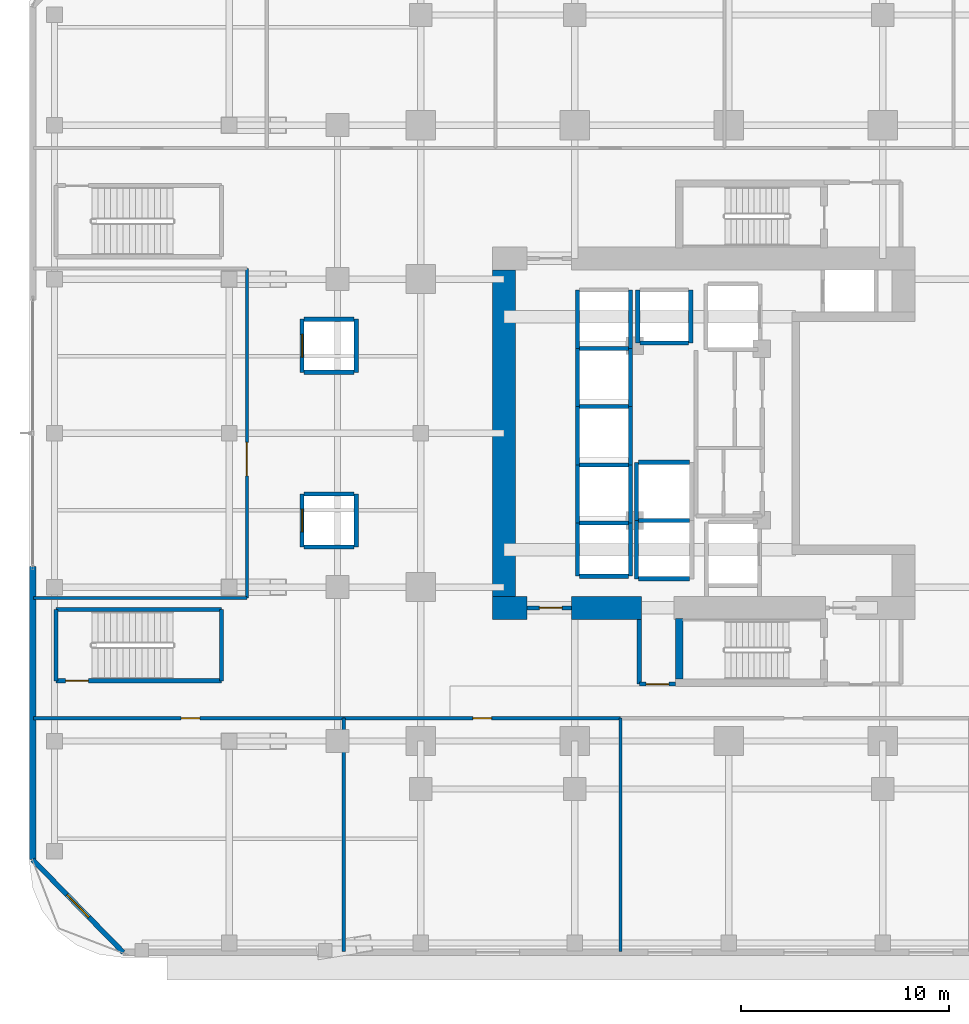
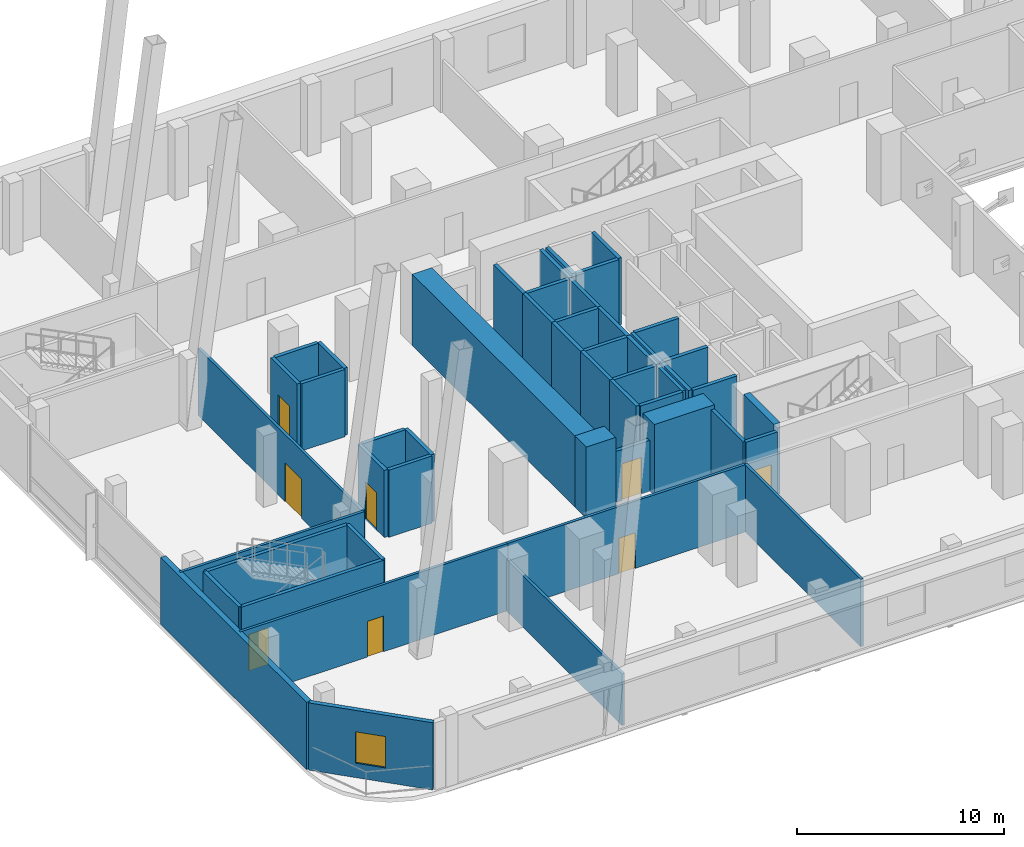
# One storey, part 11 of 23: 50 walls, 8 doors, 1 window, 9 openings.
"""IFC4 building model written with IfcOpenShell, lengths in metres."""

from ifc_helpers import new_model, si_unit, direction, frame, frame_2d, origin, place, context, subcontext, project, spatial, rectangle, extrude, material, layer, layer_set, type_object, element, fill, save


model = new_model("IFC4")

# Units and contexts
model_context = context("Model", 3, precision=1e-05, world=origin(), true_north=direction((0.0, 1.0)))
body_context = subcontext(model_context, "Body", "Model", "MODEL_VIEW")
ifc_project = project(units=[si_unit("LENGTHUNIT", "METRE"), si_unit("AREAUNIT", "SQUARE_METRE"), si_unit("VOLUMEUNIT", "CUBIC_METRE"), si_unit("PLANEANGLEUNIT", "RADIAN"), si_unit("MASSUNIT", "GRAM", prefix="KILO")], contexts=[model_context])

# Site, building, storey
site_placement = place(None, origin())
site = spatial("IfcSite", under=ifc_project, at=site_placement, CompositionType="ELEMENT")
building_placement = place(site_placement, origin())
building = spatial("IfcBuilding", under=site, at=building_placement, Name="Khorvyn Point Tower", CompositionType="ELEMENT")
storey_placement = place(building_placement, frame((0.0, 0.0, 9.0)))
storey = spatial("IfcBuildingStorey", under=building, at=storey_placement, Name="L03", CompositionType="ELEMENT", Elevation=9.0)

# Wall, opening, window
ifc_material_1 = material(Name="Pale anodised aluminium rainscreen on steel stud", Category="steel")
ifc_layer_1 = layer(ifc_material_1, 0.239990234375)
ifc_layer_set_1 = layer_set([ifc_layer_1], Name="Anodised Aluminium Insulated Corner Spandrel Wall 240")
wall_type_1 = type_object("IfcWallType", Name="Anodised Aluminium Insulated Corner Spandrel Wall 240", PredefinedType="SOLIDWALL", material=ifc_layer_set_1)
wall_1_placement = place(storey_placement, frame((-29.10009765625, -24.949951171875, 0.0), z_axis=(0.0, 0.0, 1.0), x_axis=(-0.69901822973, 0.715103848756, 0.0)))
wall_1 = element("IfcWall", 1, at=wall_1_placement, inside=storey, type_object=wall_type_1, Name="L03 Rounded Corner Wall SW", PredefinedType="SOLIDWALL", context=body_context, shape_type="SweptSolid", body=[
    extrude(rectangle(XDim=6.222900390625, YDim=0.239990234375, at=frame_2d((3.111328125, 0.0))), origin(), (0.0, 0.0, 1.0), 3.9599609375),
])
opening_1_placement = place(wall_1_placement, frame((2.361572265625, 0.0, 0.85009765625)))
opening_1 = element("IfcOpeningElement", 2, at=opening_1_placement, cuts=wall_1, Name="Opening WN-1518", PredefinedType="OPENING", context=body_context, shape_type="SweptSolid", body=[
    extrude(rectangle(XDim=1.5, YDim=1.85009765625, at=frame_2d((0.75, 0.925048828125))), frame((0.0, 0.1298828125, 0.0), z_axis=(0.0, -1.0, 0.0), x_axis=(1.0, 0.0, 0.0)), (0.0, 0.0, 1.0), 0.260009765625),
])
ifc_material_2 = material(Name="Anodised aluminium 6063-T6 and laminated Low-E glass", Category="aluminium")
window_type = type_object("IfcWindowType", Name="Anodised Aluminium Rounded-Corner Panoramic Window 1500x1850", PartitioningType="SINGLE_PANEL", PredefinedType="WINDOW", material=ifc_material_2)
window_placement = place(opening_1_placement, origin())
window = element("IfcWindow", 3, at=window_placement, inside=storey, type_object=window_type, Name="L03 Corner Window SW", OverallHeight=1.85009765625, OverallWidth=1.5, PartitioningType="SINGLE_PANEL", PredefinedType="WINDOW", context=body_context, shape_type="SweptSolid", body=[
    extrude(rectangle(XDim=1.5, YDim=1.85009765625, at=frame_2d((0.75, 0.925048828125))), frame((0.0, 0.030029296875, 0.0), z_axis=(0.0, -1.0, 0.0), x_axis=(1.0, 0.0, 0.0)), (0.0, 0.0, 1.0), 0.06005859375),
])
fill(opening_1, window)

# Wall, opening, door
ifc_material_3 = material(Name="Concrete C40/50", Category="concrete")
ifc_layer_2 = layer(ifc_material_3, 0.199951171875)
ifc_layer_set_2 = layer_set([ifc_layer_2], Name="Concrete C40/50 Fire-Lobby Compartment Wall 200")
wall_type_2 = type_object("IfcWallType", Name="Concrete C40/50 Fire-Lobby Compartment Wall 200", PredefinedType="SOLIDWALL", material=ifc_layer_set_2)
wall_2_placement = place(storey_placement, frame((-9.699951171875, -8.39990234375, 0.0), z_axis=(0.0, 0.0, 1.0), x_axis=(1.0, 0.0, 0.0)))
wall_2 = element("IfcWall", 4, at=wall_2_placement, inside=storey, type_object=wall_type_2, Name="Wall", PredefinedType="SOLIDWALL", context=body_context, shape_type="SweptSolid", body=[
    extrude(rectangle(XDim=2.14990234375, YDim=0.199951171875, at=frame_2d((1.074951171875, 0.0))), origin(), (0.0, 0.0, 1.0), 3.0),
])
opening_2_placement = place(wall_2_placement, frame((0.597900390625, 0.0, 0.0)))
opening_2 = element("IfcOpeningElement", 5, at=opening_2_placement, cuts=wall_2, Name="Opening ID-FL90", PredefinedType="OPENING", context=body_context, shape_type="SweptSolid", body=[
    extrude(rectangle(XDim=1.10009765625, YDim=2.14990234375, at=frame_2d((0.550048828125, 1.074951171875))), frame((0.0, 0.10986328125, 0.0), z_axis=(0.0, -1.0, 0.0), x_axis=(1.0, 0.0, 0.0)), (0.0, 0.0, 1.0), 0.219970703125),
])
ifc_material_4 = material(Name="Galvanised powder-coated steel", Category="steel")
door_type_1 = type_object("IfcDoorType", Name="Fire-Rated Steel Lobby and Stair Door 1100x2150", OperationType="NOTDEFINED", PredefinedType="DOOR", material=ifc_material_4)
door_1_placement = place(opening_2_placement, origin())
door_1 = element("IfcDoor", 6, at=door_1_placement, inside=storey, type_object=door_type_1, Name="Door", OperationType="SINGLE_SWING_LEFT", OverallHeight=2.14990234375, OverallWidth=1.10009765625, PredefinedType="DOOR", context=body_context, shape_type="SweptSolid", body=[
    extrude(rectangle(XDim=1.10009765625, YDim=2.14990234375, at=frame_2d((0.550048828125, 1.074951171875))), frame((0.0, 0.02490234375, 0.0), z_axis=(0.0, -1.0, 0.0), x_axis=(1.0, 0.0, 0.0)), (0.0, 0.0, 1.0), 0.050048828125),
])
fill(opening_2, door_1)

wall_3_placement = place(storey_placement, frame((-4.300048828125, -12.06005859375, 0.0), z_axis=(0.0, 0.0, 1.0), x_axis=(1.0, 0.0, 0.0)))
wall_3 = element("IfcWall", 7, at=wall_3_placement, inside=storey, type_object=wall_type_2, Name="Wall", PredefinedType="SOLIDWALL", context=body_context, shape_type="SweptSolid", body=[
    extrude(rectangle(XDim=1.75, YDim=0.199951171875, at=frame_2d((0.875, 0.0))), origin(), (0.0, 0.0, 1.0), 3.9599609375),
])
opening_3_placement = place(wall_3_placement, frame((0.324951171875, 0.0, 0.0)))
opening_3 = element("IfcOpeningElement", 8, at=opening_3_placement, cuts=wall_3, Name="Opening ID-FL90", PredefinedType="OPENING", context=body_context, shape_type="SweptSolid", body=[
    extrude(rectangle(XDim=1.10009765625, YDim=2.14990234375, at=frame_2d((0.550048828125, 1.074951171875))), frame((0.0, 0.10986328125, 0.0), z_axis=(0.0, -1.0, 0.0), x_axis=(1.0, 0.0, 0.0)), (0.0, 0.0, 1.0), 0.219970703125),
])
door_2_placement = place(opening_3_placement, origin())
door_2 = element("IfcDoor", 9, at=door_2_placement, inside=storey, type_object=door_type_1, Name="Door", OperationType="SINGLE_SWING_LEFT", OverallHeight=2.14990234375, OverallWidth=1.10009765625, PredefinedType="DOOR", context=body_context, shape_type="SweptSolid", body=[
    extrude(rectangle(XDim=1.10009765625, YDim=2.14990234375, at=frame_2d((0.550048828125, 1.074951171875))), frame((0.0, 0.02490234375, 0.0), z_axis=(0.0, -1.0, 0.0), x_axis=(1.0, 0.0, 0.0)), (0.0, 0.0, 1.0), 0.050048828125),
])
fill(opening_3, door_2)

# Walls
wall_4_placement = place(storey_placement, frame((-4.300048828125, -12.06005859375, 0.0), z_axis=(0.0, 0.0, 1.0), x_axis=(0.0, 1.0, 0.0)))
element("IfcWall", 10, at=wall_4_placement, inside=storey, type_object=wall_type_2, Name="Wall", PredefinedType="SOLIDWALL", context=body_context, shape_type="SweptSolid", body=[
    extrude(rectangle(XDim=3.110107421875, YDim=0.199951171875, at=frame_2d((1.55517578125, 0.0))), origin(), (0.0, 0.0, 1.0), 3.9599609375),
])
ifc_layer_3 = layer(ifc_material_3, 0.35009765625)
ifc_layer_set_3 = layer_set([ifc_layer_3], Name="Concrete C40/50 Stair Shaft Structural Wall 350")
wall_type_3 = type_object("IfcWallType", Name="Concrete C40/50 Stair Shaft Structural Wall 350", PredefinedType="SHEAR", material=ifc_layer_set_3)
wall_5_placement = place(storey_placement, frame((-2.3798828125, -11.824951171875, 0.0), z_axis=(0.0, 0.0, 1.0), x_axis=(0.0, 1.0, 0.0)))
element("IfcWall", 11, at=wall_5_placement, inside=storey, type_object=wall_type_3, Name="L03 ST-01 West Shaft Wall", PredefinedType="SHEAR", context=body_context, shape_type="SweptSolid", body=[
    extrude(rectangle(XDim=2.925048828125, YDim=0.35009765625, at=frame_2d((1.46240234375, 0.0))), origin(), (0.0, 0.0, 1.0), 4.199951171875),
])

# Wall, opening, door
ifc_layer_4 = layer(ifc_material_3, 0.199951171875)
ifc_layer_set_4 = layer_set([ifc_layer_4], Name="Concrete C40/50 Structural Hoistway and Stair Shaft Wall 200")
wall_type_4 = type_object("IfcWallType", Name="Concrete C40/50 Structural Hoistway and Stair Shaft Wall 200", PredefinedType="SHEAR", material=ifc_layer_set_4)
wall_6_placement = place(storey_placement, frame((-20.5, -5.47509765625, 0.0), z_axis=(0.0, 0.0, 1.0), x_axis=(0.0, 1.0, 0.0)))
wall_6 = element("IfcWall", 12, at=wall_6_placement, inside=storey, type_object=wall_type_4, Name="Wall", PredefinedType="SHEAR", context=body_context, shape_type="SweptSolid", body=[
    extrude(rectangle(XDim=2.550048828125, YDim=0.199951171875, at=frame_2d((1.27490234375, 0.0))), origin(), (0.0, 0.0, 1.0), 3.9599609375),
])
opening_4_placement = place(wall_6_placement, frame((0.72509765625, 0.0, 0.0)))
opening_4 = element("IfcOpeningElement", 13, at=opening_4_placement, cuts=wall_6, Name="Opening LD-1122", PredefinedType="OPENING", context=body_context, shape_type="SweptSolid", body=[
    extrude(rectangle(XDim=1.10009765625, YDim=2.199951171875, at=frame_2d((0.550048828125, 1.10009765625))), frame((0.0, 0.10986328125, 0.0), z_axis=(0.0, -1.0, 0.0), x_axis=(1.0, 0.0, 0.0)), (0.0, 0.0, 1.0), 0.219970703125),
])
ifc_material_5 = material(Name="Stainless steel 1.4301", Category="steel")
door_type_2 = type_object("IfcDoorType", Name="Stainless Steel Automatic Sliding Lift Landing Door 1100x2200", OperationType="SLIDING_TO_LEFT", PredefinedType="DOOR", material=ifc_material_5)
door_3_placement = place(opening_4_placement, origin())
door_3 = element("IfcDoor", 14, at=door_3_placement, inside=storey, type_object=door_type_2, Name="L03 SL-01 Sliding Lift Landing Door", OperationType="SLIDING_TO_LEFT", OverallHeight=2.199951171875, OverallWidth=1.10009765625, PredefinedType="DOOR", context=body_context, shape_type="SweptSolid", body=[
    extrude(rectangle(XDim=1.10009765625, YDim=2.199951171875, at=frame_2d((0.550048828125, 1.10009765625))), frame((0.0, 0.02490234375, 0.0), z_axis=(0.0, -1.0, 0.0), x_axis=(1.0, 0.0, 0.0)), (0.0, 0.0, 1.0), 0.050048828125),
])
fill(opening_4, door_3)

# Walls
wall_7_placement = place(storey_placement, frame((-17.89990234375, -5.47509765625, 0.0), z_axis=(0.0, 0.0, 1.0), x_axis=(0.0, 1.0, 0.0)))
element("IfcWall", 15, at=wall_7_placement, inside=storey, type_object=wall_type_4, Name="Wall", PredefinedType="SHEAR", context=body_context, shape_type="SweptSolid", body=[
    extrude(rectangle(XDim=2.550048828125, YDim=0.199951171875, at=frame_2d((1.27490234375, 0.0))), origin(), (0.0, 0.0, 1.0), 3.9599609375),
])
for number, where, z_axis, x_axis, name in (
    (16, (-20.39990234375, -5.47509765625, 0.0), (0.0, 0.0, 1.0), (1.0, 0.0, 0.0), "Wall"),
    (17, (-20.39990234375, -2.925048828125, 0.0), (0.0, 0.0, 1.0), (1.0, 0.0, 0.0), "Wall"),
):
    element("IfcWall", number, at=place(storey_placement, frame(where, z_axis=z_axis, x_axis=x_axis)), inside=storey, type_object=wall_type_4, Name=name, PredefinedType="SHEAR", context=body_context, shape_type="SweptSolid", body=[
        extrude(rectangle(XDim=2.39990234375, YDim=0.199951171875, at=frame_2d((1.199951171875, 0.0))), origin(), (0.0, 0.0, 1.0), 3.9599609375),
    ])

# Wall, opening, door
wall_8_placement = place(storey_placement, frame((-20.5, 2.925048828125, 0.0), z_axis=(0.0, 0.0, 1.0), x_axis=(0.0, 1.0, 0.0)))
wall_8 = element("IfcWall", 18, at=wall_8_placement, inside=storey, type_object=wall_type_4, Name="Wall", PredefinedType="SHEAR", context=body_context, shape_type="SweptSolid", body=[
    extrude(rectangle(XDim=2.550048828125, YDim=0.199951171875, at=frame_2d((1.27490234375, 0.0))), origin(), (0.0, 0.0, 1.0), 3.9599609375),
])
opening_5_placement = place(wall_8_placement, frame((0.72509765625, 0.0, 0.0)))
opening_5 = element("IfcOpeningElement", 19, at=opening_5_placement, cuts=wall_8, Name="Opening LD-1122", PredefinedType="OPENING", context=body_context, shape_type="SweptSolid", body=[
    extrude(rectangle(XDim=1.10009765625, YDim=2.199951171875, at=frame_2d((0.550048828125, 1.10009765625))), frame((0.0, 0.10986328125, 0.0), z_axis=(0.0, -1.0, 0.0), x_axis=(1.0, 0.0, 0.0)), (0.0, 0.0, 1.0), 0.219970703125),
])
door_4_placement = place(opening_5_placement, origin())
door_4 = element("IfcDoor", 20, at=door_4_placement, inside=storey, type_object=door_type_2, Name="L03 SL-02 Sliding Lift Landing Door", OperationType="SLIDING_TO_LEFT", OverallHeight=2.199951171875, OverallWidth=1.10009765625, PredefinedType="DOOR", context=body_context, shape_type="SweptSolid", body=[
    extrude(rectangle(XDim=1.10009765625, YDim=2.199951171875, at=frame_2d((0.550048828125, 1.10009765625))), frame((0.0, 0.02490234375, 0.0), z_axis=(0.0, -1.0, 0.0), x_axis=(1.0, 0.0, 0.0)), (0.0, 0.0, 1.0), 0.050048828125),
])
fill(opening_5, door_4)

# Walls
wall_9_placement = place(storey_placement, frame((-17.89990234375, 2.925048828125, 0.0), z_axis=(0.0, 0.0, 1.0), x_axis=(0.0, 1.0, 0.0)))
element("IfcWall", 21, at=wall_9_placement, inside=storey, type_object=wall_type_4, Name="Wall", PredefinedType="SHEAR", context=body_context, shape_type="SweptSolid", body=[
    extrude(rectangle(XDim=2.550048828125, YDim=0.199951171875, at=frame_2d((1.27490234375, 0.0))), origin(), (0.0, 0.0, 1.0), 3.9599609375),
])
for number, where, z_axis, x_axis, name in (
    (22, (-20.39990234375, 2.925048828125, 0.0), (0.0, 0.0, 1.0), (1.0, 0.0, 0.0), "Wall"),
    (23, (-20.39990234375, 5.47509765625, 0.0), (0.0, 0.0, 1.0), (1.0, 0.0, 0.0), "Wall"),
):
    element("IfcWall", number, at=place(storey_placement, frame(where, z_axis=z_axis, x_axis=x_axis)), inside=storey, type_object=wall_type_4, Name=name, PredefinedType="SHEAR", context=body_context, shape_type="SweptSolid", body=[
        extrude(rectangle(XDim=2.39990234375, YDim=0.199951171875, at=frame_2d((1.199951171875, 0.0))), origin(), (0.0, 0.0, 1.0), 3.9599609375),
    ])
for number, where, z_axis, x_axis, name in (
    (24, (-7.27490234375, -6.875, 0.0), (0.0, 0.0, 1.0), (0.0, 1.0, 0.0), "Wall"),
    (25, (-4.72509765625, -6.875, 0.0), (0.0, 0.0, 1.0), (0.0, 1.0, 0.0), "Wall"),
):
    element("IfcWall", number, at=place(storey_placement, frame(where, z_axis=z_axis, x_axis=x_axis)), inside=storey, type_object=wall_type_4, Name=name, PredefinedType="SHEAR", context=body_context, shape_type="SweptSolid", body=[
        extrude(rectangle(XDim=2.550048828125, YDim=0.199951171875, at=frame_2d((1.27490234375, 0.0))), origin(), (0.0, 0.0, 1.0), 3.9599609375),
    ])
for number, where, z_axis, x_axis, name in (
    (26, (-7.175048828125, -6.875, 0.0), (0.0, 0.0, 1.0), (1.0, 0.0, 0.0), "Wall"),
    (27, (-7.175048828125, -4.324951171875, 0.0), (0.0, 0.0, 1.0), (1.0, 0.0, 0.0), "Wall"),
):
    element("IfcWall", number, at=place(storey_placement, frame(where, z_axis=z_axis, x_axis=x_axis)), inside=storey, type_object=wall_type_4, Name=name, PredefinedType="SHEAR", context=body_context, shape_type="SweptSolid", body=[
        extrude(rectangle(XDim=2.35009765625, YDim=0.199951171875, at=frame_2d((1.175048828125, 0.0))), origin(), (0.0, 0.0, 1.0), 3.9599609375),
    ])
for number, where, z_axis, x_axis, name in (
    (28, (-7.27490234375, -4.324951171875, 0.0), (0.0, 0.0, 1.0), (0.0, 1.0, 0.0), "Wall"),
    (29, (-4.72509765625, -4.324951171875, 0.0), (0.0, 0.0, 1.0), (0.0, 1.0, 0.0), "Wall"),
):
    element("IfcWall", number, at=place(storey_placement, frame(where, z_axis=z_axis, x_axis=x_axis)), inside=storey, type_object=wall_type_4, Name=name, PredefinedType="SHEAR", context=body_context, shape_type="SweptSolid", body=[
        extrude(rectangle(XDim=2.800048828125, YDim=0.199951171875, at=frame_2d((1.39990234375, 0.0))), origin(), (0.0, 0.0, 1.0), 3.9599609375),
    ])
wall_10_placement = place(storey_placement, frame((-7.175048828125, -1.52490234375, 0.0), z_axis=(0.0, 0.0, 1.0), x_axis=(1.0, 0.0, 0.0)))
element("IfcWall", 30, at=wall_10_placement, inside=storey, type_object=wall_type_4, Name="Wall", PredefinedType="SHEAR", context=body_context, shape_type="SweptSolid", body=[
    extrude(rectangle(XDim=2.35009765625, YDim=0.199951171875, at=frame_2d((1.175048828125, 0.0))), origin(), (0.0, 0.0, 1.0), 3.9599609375),
])
for number, where, z_axis, x_axis, name in (
    (31, (-7.27490234375, -1.52490234375, 0.0), (0.0, 0.0, 1.0), (0.0, 1.0, 0.0), "Wall"),
    (32, (-4.72509765625, -1.52490234375, 0.0), (0.0, 0.0, 1.0), (0.0, 1.0, 0.0), "Wall"),
):
    element("IfcWall", number, at=place(storey_placement, frame(where, z_axis=z_axis, x_axis=x_axis)), inside=storey, type_object=wall_type_4, Name=name, PredefinedType="SHEAR", context=body_context, shape_type="SweptSolid", body=[
        extrude(rectangle(XDim=2.7998046875, YDim=0.199951171875, at=frame_2d((1.39990234375, 0.0))), origin(), (0.0, 0.0, 1.0), 3.9599609375),
    ])
wall_11_placement = place(storey_placement, frame((-7.175048828125, 1.27490234375, 0.0), z_axis=(0.0, 0.0, 1.0), x_axis=(1.0, 0.0, 0.0)))
element("IfcWall", 33, at=wall_11_placement, inside=storey, type_object=wall_type_4, Name="Wall", PredefinedType="SHEAR", context=body_context, shape_type="SweptSolid", body=[
    extrude(rectangle(XDim=2.35009765625, YDim=0.199951171875, at=frame_2d((1.175048828125, 0.0))), origin(), (0.0, 0.0, 1.0), 3.9599609375),
])
for number, where, z_axis, x_axis, name in (
    (34, (-7.27490234375, 1.27490234375, 0.0), (0.0, 0.0, 1.0), (0.0, 1.0, 0.0), "Wall"),
    (35, (-4.72509765625, 1.27490234375, 0.0), (0.0, 0.0, 1.0), (0.0, 1.0, 0.0), "Wall"),
):
    element("IfcWall", number, at=place(storey_placement, frame(where, z_axis=z_axis, x_axis=x_axis)), inside=storey, type_object=wall_type_4, Name=name, PredefinedType="SHEAR", context=body_context, shape_type="SweptSolid", body=[
        extrude(rectangle(XDim=2.800048828125, YDim=0.199951171875, at=frame_2d((1.39990234375, 0.0))), origin(), (0.0, 0.0, 1.0), 3.9599609375),
    ])
wall_12_placement = place(storey_placement, frame((-7.175048828125, 4.074951171875, 0.0), z_axis=(0.0, 0.0, 1.0), x_axis=(1.0, 0.0, 0.0)))
element("IfcWall", 36, at=wall_12_placement, inside=storey, type_object=wall_type_4, Name="Wall", PredefinedType="SHEAR", context=body_context, shape_type="SweptSolid", body=[
    extrude(rectangle(XDim=2.35009765625, YDim=0.199951171875, at=frame_2d((1.175048828125, 0.0))), origin(), (0.0, 0.0, 1.0), 3.9599609375),
])
for number, where, z_axis, x_axis, name in (
    (37, (-7.27490234375, 4.074951171875, 0.0), (0.0, 0.0, 1.0), (0.0, 1.0, 0.0), "Wall"),
    (38, (-4.72509765625, 4.074951171875, 0.0), (0.0, 0.0, 1.0), (0.0, 1.0, 0.0), "Wall"),
):
    element("IfcWall", number, at=place(storey_placement, frame(where, z_axis=z_axis, x_axis=x_axis)), inside=storey, type_object=wall_type_4, Name=name, PredefinedType="SHEAR", context=body_context, shape_type="SweptSolid", body=[
        extrude(rectangle(XDim=2.800048828125, YDim=0.199951171875, at=frame_2d((1.39990234375, 0.0))), origin(), (0.0, 0.0, 1.0), 3.9599609375),
    ])
for number, where, z_axis, x_axis, name in (
    (39, (-4.375, 4.324951171875, 0.0), (0.0, 0.0, 1.0), (0.0, 1.0, 0.0), "Wall"),
    (40, (-1.824951171875, 4.324951171875, 0.0), (0.0, 0.0, 1.0), (0.0, 1.0, 0.0), "Wall"),
):
    element("IfcWall", number, at=place(storey_placement, frame(where, z_axis=z_axis, x_axis=x_axis)), inside=storey, type_object=wall_type_4, Name=name, PredefinedType="SHEAR", context=body_context, shape_type="SweptSolid", body=[
        extrude(rectangle(XDim=2.550048828125, YDim=0.199951171875, at=frame_2d((1.27490234375, 0.0))), origin(), (0.0, 0.0, 1.0), 3.9599609375),
    ])
wall_13_placement = place(storey_placement, frame((-4.27490234375, 4.324951171875, 0.0), z_axis=(0.0, 0.0, 1.0), x_axis=(1.0, 0.0, 0.0)))
element("IfcWall", 41, at=wall_13_placement, inside=storey, type_object=wall_type_4, Name="Wall", PredefinedType="SHEAR", context=body_context, shape_type="SweptSolid", body=[
    extrude(rectangle(XDim=2.349853515625, YDim=0.199951171875, at=frame_2d((1.1748046875, 0.0))), origin(), (0.0, 0.0, 1.0), 3.9599609375),
])
wall_14_placement = place(storey_placement, frame((-4.425048828125, -7.0, 0.0), z_axis=(0.0, 0.0, 1.0), x_axis=(0.0, 1.0, 0.0)))
element("IfcWall", 42, at=wall_14_placement, inside=storey, type_object=wall_type_4, Name="Wall", PredefinedType="SHEAR", context=body_context, shape_type="SweptSolid", body=[
    extrude(rectangle(XDim=2.800048828125, YDim=0.199951171875, at=frame_2d((1.39990234375, 0.0))), origin(), (0.0, 0.0, 1.0), 3.9599609375),
])
for number, where, z_axis, x_axis, name in (
    (43, (-4.324951171875, -7.0, 0.0), (0.0, 0.0, 1.0), (1.0, 0.0, 0.0), "Wall"),
    (44, (-4.324951171875, -4.199951171875, 0.0), (0.0, 0.0, 1.0), (1.0, 0.0, 0.0), "Wall"),
):
    element("IfcWall", number, at=place(storey_placement, frame(where, z_axis=z_axis, x_axis=x_axis)), inside=storey, type_object=wall_type_4, Name=name, PredefinedType="SHEAR", context=body_context, shape_type="SweptSolid", body=[
        extrude(rectangle(XDim=2.449951171875, YDim=0.199951171875, at=frame_2d((1.22509765625, 0.0))), origin(), (0.0, 0.0, 1.0), 3.9599609375),
    ])
wall_15_placement = place(storey_placement, frame((-4.425048828125, -4.199951171875, 0.0), z_axis=(0.0, 0.0, 1.0), x_axis=(0.0, 1.0, 0.0)))
element("IfcWall", 45, at=wall_15_placement, inside=storey, type_object=wall_type_4, Name="Wall", PredefinedType="SHEAR", context=body_context, shape_type="SweptSolid", body=[
    extrude(rectangle(XDim=2.800048828125, YDim=0.199951171875, at=frame_2d((1.39990234375, 0.0))), origin(), (0.0, 0.0, 1.0), 3.9599609375),
])
wall_16_placement = place(storey_placement, frame((-4.324951171875, -1.39990234375, 0.0), z_axis=(0.0, 0.0, 1.0), x_axis=(1.0, 0.0, 0.0)))
element("IfcWall", 46, at=wall_16_placement, inside=storey, type_object=wall_type_4, Name="Wall", PredefinedType="SHEAR", context=body_context, shape_type="SweptSolid", body=[
    extrude(rectangle(XDim=2.449951171875, YDim=0.199951171875, at=frame_2d((1.22509765625, 0.0))), origin(), (0.0, 0.0, 1.0), 3.9599609375),
])
for number, where, z_axis, x_axis, name in (
    (47, (-32.330078125, -11.89990234375, 0.0), (0.0, 0.0, 1.0), (0.0, 1.0, 0.0), "Wall"),
    (48, (-24.3701171875, -8.47998046875, 0.0), (0.0, 0.0, 1.0), (0.0, -1.0, 0.0), "Wall"),
):
    element("IfcWall", number, at=place(storey_placement, frame(where, z_axis=z_axis, x_axis=x_axis)), inside=storey, type_object=wall_type_4, Name=name, PredefinedType="SHEAR", context=body_context, shape_type="SweptSolid", body=[
        extrude(rectangle(XDim=3.419921875, YDim=0.199951171875, at=frame_2d((1.7099609375, 0.0))), origin(), (0.0, 0.0, 1.0), 3.9599609375),
    ])

# Wall, opening, door
wall_17_placement = place(storey_placement, frame((-24.3701171875, -11.89990234375, 0.0), z_axis=(0.0, 0.0, 1.0), x_axis=(-1.0, 0.0, 0.0)))
wall_17 = element("IfcWall", 49, at=wall_17_placement, inside=storey, type_object=wall_type_4, Name="Wall", PredefinedType="SHEAR", context=body_context, shape_type="SweptSolid", body=[
    extrude(rectangle(XDim=7.9599609375, YDim=0.199951171875, at=frame_2d((3.97998046875, 0.0))), origin(), (0.0, 0.0, 1.0), 3.9599609375),
])
opening_6_placement = place(wall_17_placement, frame((6.39990234375, 0.0, 0.0)))
opening_6 = element("IfcOpeningElement", 50, at=opening_6_placement, cuts=wall_17, Name="Opening ID-FL90", PredefinedType="OPENING", context=body_context, shape_type="SweptSolid", body=[
    extrude(rectangle(XDim=1.10009765625, YDim=2.14990234375, at=frame_2d((0.550048828125, 1.074951171875))), frame((0.0, 0.10986328125, 0.0), z_axis=(0.0, -1.0, 0.0), x_axis=(1.0, 0.0, 0.0)), (0.0, 0.0, 1.0), 0.219970703125),
])
door_5_placement = place(opening_6_placement, origin())
door_5 = element("IfcDoor", 51, at=door_5_placement, inside=storey, type_object=door_type_1, Name="L03 ST-S1 Smokeproof Landing Door", OperationType="SINGLE_SWING_RIGHT", OverallHeight=2.14990234375, OverallWidth=1.10009765625, PredefinedType="DOOR", context=body_context, shape_type="SweptSolid", body=[
    extrude(rectangle(XDim=1.10009765625, YDim=2.14990234375, at=frame_2d((0.550048828125, 1.074951171875))), frame((0.0, 0.02490234375, 0.0), z_axis=(0.0, -1.0, 0.0), x_axis=(1.0, 0.0, 0.0)), (0.0, 0.0, 1.0), 0.050048828125),
])
fill(opening_6, door_5)

# Walls
wall_18_placement = place(storey_placement, frame((-32.330078125, -8.47998046875, 0.0), z_axis=(0.0, 0.0, 1.0), x_axis=(1.0, 0.0, 0.0)))
element("IfcWall", 52, at=wall_18_placement, inside=storey, type_object=wall_type_4, Name="Wall", PredefinedType="SHEAR", context=body_context, shape_type="SweptSolid", body=[
    extrude(rectangle(XDim=7.9599609375, YDim=0.199951171875, at=frame_2d((3.97998046875, 0.0))), origin(), (0.0, 0.0, 1.0), 3.9599609375),
])
ifc_material_6 = material(Name="Concrete C50/60", Category="concrete")
ifc_layer_5 = layer(ifc_material_6, 1.10009765625)
ifc_layer_set_5 = layer_set([ifc_layer_5], Name="Concrete C50/60 Core Shear Wall 1100")
wall_type_5 = type_object("IfcWallType", Name="Concrete C50/60 Core Shear Wall 1100", PredefinedType="SHEAR", material=ifc_layer_set_5)
wall_19_placement = place(storey_placement, frame((-11.35009765625, -8.39990234375, 0.0), z_axis=(0.0, 0.0, 1.0), x_axis=(1.0, 0.0, 0.0)))
element("IfcWall", 53, at=wall_19_placement, inside=storey, type_object=wall_type_5, Name="Wall", PredefinedType="SHEAR", context=body_context, shape_type="SweptSolid", body=[
    extrude(rectangle(XDim=1.650146484375, YDim=1.10009765625, at=frame_2d((0.8251953125, 0.0))), origin(), (0.0, 0.0, 1.0), 4.199951171875),
])
wall_20_placement = place(storey_placement, frame((-7.550048828125, -8.39990234375, 0.0), z_axis=(0.0, 0.0, 1.0), x_axis=(1.0, 0.0, 0.0)))
element("IfcWall", 54, at=wall_20_placement, inside=storey, type_object=wall_type_5, Name="Wall", PredefinedType="SHEAR", context=body_context, shape_type="SweptSolid", body=[
    extrude(rectangle(XDim=3.35009765625, YDim=1.10009765625, at=frame_2d((1.675048828125, 0.0))), origin(), (0.0, 0.0, 1.0), 4.199951171875),
])
wall_21_placement = place(storey_placement, frame((-10.800048828125, -7.85009765625, 0.0), z_axis=(0.0, 0.0, 1.0), x_axis=(0.0, 1.0, 0.0)))
element("IfcWall", 55, at=wall_21_placement, inside=storey, type_object=wall_type_5, Name="Wall", PredefinedType="SHEAR", context=body_context, shape_type="SweptSolid", body=[
    extrude(rectangle(XDim=15.7001953125, YDim=1.10009765625, at=frame_2d((7.85009765625, 0.0))), origin(), (0.0, 0.0, 1.0), 4.199951171875),
])

# Wall, opening, door
ifc_material_7 = material(Name="Moisture-resistant gypsum and cement board", Category="gypsum")
ifc_layer_6 = layer(ifc_material_7, 0.14990234375)
ifc_layer_set_6 = layer_set([ifc_layer_6], Name="Moisture-Resistant Wet-Room Partition Wall 150")
wall_type_6 = type_object("IfcWallType", Name="Moisture-Resistant Wet-Room Partition Wall 150", PredefinedType="PARTITIONING", material=ifc_layer_set_6)
wall_22_placement = place(storey_placement, frame((-23.159912109375, -7.919921875, 0.0), z_axis=(0.0, 0.0, 1.0), x_axis=(0.0, 1.0, 0.0)))
wall_22 = element("IfcWall", 56, at=wall_22_placement, inside=storey, type_object=wall_type_6, Name="Wall", PredefinedType="PARTITIONING", context=body_context, shape_type="SweptSolid", body=[
    extrude(rectangle(XDim=15.83984375, YDim=0.14990234375, at=frame_2d((7.919921875, 0.0))), origin(), (0.0, 0.0, 1.0), 3.9599609375),
])
opening_7_placement = place(wall_22_placement, frame((5.870849609375, 0.0, 0.0)))
opening_7 = element("IfcOpeningElement", 57, at=opening_7_placement, cuts=wall_22, Name="Opening ID-LB30", PredefinedType="OPENING", context=body_context, shape_type="SweptSolid", body=[
    extrude(rectangle(XDim=1.60009765625, YDim=2.300048828125, at=frame_2d((0.800048828125, 1.14990234375))), frame((0.0, 0.0849609375, 0.0), z_axis=(0.0, -1.0, 0.0), x_axis=(1.0, 0.0, 0.0)), (0.0, 0.0, 1.0), 0.169921875),
])
ifc_material_8 = material(Name="Anodised aluminium 6063-T6 and tempered glass", Category="aluminium")
door_type_3 = type_object("IfcDoorType", Name="Glazed Aluminium Sky-Lobby Double Swing Door 1600x2300", OperationType="DOUBLE_DOOR_SINGLE_SWING", PredefinedType="DOOR", material=ifc_material_8)
door_6_placement = place(opening_7_placement, origin())
door_6 = element("IfcDoor", 58, at=door_6_placement, inside=storey, type_object=door_type_3, Name="Door", OperationType="SINGLE_SWING_LEFT", OverallHeight=2.300048828125, OverallWidth=1.60009765625, PredefinedType="DOOR", context=body_context, shape_type="SweptSolid", body=[
    extrude(rectangle(XDim=1.60009765625, YDim=2.300048828125, at=frame_2d((0.800048828125, 1.14990234375))), frame((0.0, 0.02490234375, 0.0), z_axis=(0.0, -1.0, 0.0), x_axis=(1.0, 0.0, 0.0)), (0.0, 0.0, 1.0), 0.050048828125),
])
fill(opening_7, door_6)

wall_23_placement = place(storey_placement, frame((-33.419921875, -13.699951171875, 0.0), z_axis=(0.0, 0.0, 1.0), x_axis=(1.0, 0.0, 0.0)))
wall_23 = element("IfcWall", 59, at=wall_23_placement, inside=storey, type_object=wall_type_6, Name="Wall", PredefinedType="PARTITIONING", context=body_context, shape_type="SweptSolid", body=[
    extrude(rectangle(XDim=14.919921875, YDim=0.14990234375, at=frame_2d((7.4599609375, 0.0))), origin(), (0.0, 0.0, 1.0), 3.9599609375),
])
opening_8_placement = place(wall_23_placement, frame((7.09912109375, 0.0, 0.0)))
opening_8 = element("IfcOpeningElement", 60, at=opening_8_placement, cuts=wall_23, Name="Opening ID-RM90", PredefinedType="OPENING", context=body_context, shape_type="SweptSolid", body=[
    extrude(rectangle(XDim=0.89990234375, YDim=2.10009765625, at=frame_2d((0.449951171875, 1.050048828125))), frame((0.0, 0.0849609375, 0.0), z_axis=(0.0, -1.0, 0.0), x_axis=(1.0, 0.0, 0.0)), (0.0, 0.0, 1.0), 0.169921875),
])
ifc_material_9 = material(Name="Engineered oak veneer timber", Category="wood")
door_type_4 = type_object("IfcDoorType", Name="Flush Engineered Timber Room Door 900x2100", OperationType="NOTDEFINED", PredefinedType="DOOR", material=ifc_material_9)
door_7_placement = place(opening_8_placement, origin())
door_7 = element("IfcDoor", 61, at=door_7_placement, inside=storey, type_object=door_type_4, Name="Door", OperationType="SINGLE_SWING_RIGHT", OverallHeight=2.10009765625, OverallWidth=0.89990234375, PredefinedType="DOOR", context=body_context, shape_type="SweptSolid", body=[
    extrude(rectangle(XDim=0.89990234375, YDim=2.10009765625, at=frame_2d((0.449951171875, 1.050048828125))), frame((0.0, 0.02490234375, 0.0), z_axis=(0.0, -1.0, 0.0), x_axis=(1.0, 0.0, 0.0)), (0.0, 0.0, 1.0), 0.050048828125),
])
fill(opening_8, door_7)

wall_24_placement = place(storey_placement, frame((-18.5, -13.699951171875, 0.0), z_axis=(0.0, 0.0, 1.0), x_axis=(1.0, 0.0, 0.0)))
wall_24 = element("IfcWall", 62, at=wall_24_placement, inside=storey, type_object=wall_type_6, Name="Wall", PredefinedType="PARTITIONING", context=body_context, shape_type="SweptSolid", body=[
    extrude(rectangle(XDim=13.300048828125, YDim=0.14990234375, at=frame_2d((6.64990234375, 0.0))), origin(), (0.0, 0.0, 1.0), 3.9599609375),
])
opening_9_placement = place(wall_24_placement, frame((6.199951171875, 0.0, 0.0)))
opening_9 = element("IfcOpeningElement", 63, at=opening_9_placement, cuts=wall_24, Name="Opening ID-RM90", PredefinedType="OPENING", context=body_context, shape_type="SweptSolid", body=[
    extrude(rectangle(XDim=0.89990234375, YDim=2.10009765625, at=frame_2d((0.449951171875, 1.050048828125))), frame((0.0, 0.0849609375, 0.0), z_axis=(0.0, -1.0, 0.0), x_axis=(1.0, 0.0, 0.0)), (0.0, 0.0, 1.0), 0.169921875),
])
door_8_placement = place(opening_9_placement, origin())
door_8 = element("IfcDoor", 64, at=door_8_placement, inside=storey, type_object=door_type_4, Name="Door", OperationType="SINGLE_SWING_LEFT", OverallHeight=2.10009765625, OverallWidth=0.89990234375, PredefinedType="DOOR", context=body_context, shape_type="SweptSolid", body=[
    extrude(rectangle(XDim=0.89990234375, YDim=2.10009765625, at=frame_2d((0.449951171875, 1.050048828125))), frame((0.0, 0.02490234375, 0.0), z_axis=(0.0, -1.0, 0.0), x_axis=(1.0, 0.0, 0.0)), (0.0, 0.0, 1.0), 0.050048828125),
])
fill(opening_9, door_8)

# Walls
wall_25_placement = place(storey_placement, frame((-33.419921875, -7.919921875, 0.0), z_axis=(0.0, 0.0, 1.0), x_axis=(1.0, 0.0, 0.0)))
element("IfcWall", 65, at=wall_25_placement, inside=storey, type_object=wall_type_6, Name="Wall", PredefinedType="PARTITIONING", context=body_context, shape_type="SweptSolid", body=[
    extrude(rectangle(XDim=10.260009765625, YDim=0.14990234375, at=frame_2d((5.1298828125, 0.0))), origin(), (0.0, 0.0, 1.0), 3.9599609375),
])
wall_26_placement = place(storey_placement, frame((-18.5, -24.919921875, 0.0), z_axis=(0.0, 0.0, 1.0), x_axis=(0.0, 1.0, 0.0)))
element("IfcWall", 66, at=wall_26_placement, inside=storey, type_object=wall_type_6, Name="Wall", PredefinedType="PARTITIONING", context=body_context, shape_type="SweptSolid", body=[
    extrude(rectangle(XDim=11.219970703125, YDim=0.14990234375, at=frame_2d((5.60986328125, 0.0))), origin(), (0.0, 0.0, 1.0), 3.050048828125),
])
wall_27_placement = place(storey_placement, frame((-5.199951171875, -24.919921875, 0.0), z_axis=(0.0, 0.0, 1.0), x_axis=(0.0, 1.0, 0.0)))
element("IfcWall", 67, at=wall_27_placement, inside=storey, type_object=wall_type_6, Name="Wall", PredefinedType="PARTITIONING", context=body_context, shape_type="SweptSolid", body=[
    extrude(rectangle(XDim=11.219970703125, YDim=0.14990234375, at=frame_2d((5.60986328125, 0.0))), origin(), (0.0, 0.0, 1.0), 3.9599609375),
])
ifc_material_10 = material(Name="Precast concrete C35/45", Category="concrete")
ifc_layer_7 = layer(ifc_material_10, 0.300048828125)
ifc_layer_set_7 = layer_set([ifc_layer_7], Name="Precast Concrete C35/45 Insulated Podium Facade Wall 300")
wall_type_7 = type_object("IfcWallType", Name="Precast Concrete C35/45 Insulated Podium Facade Wall 300", PredefinedType="SOLIDWALL", material=ifc_layer_set_7)
wall_28_placement = place(storey_placement, frame((-33.449951171875, -20.5, 0.0), z_axis=(0.0, 0.0, 1.0), x_axis=(0.0, 1.0, 0.0)))
element("IfcWall", 68, at=wall_28_placement, inside=storey, type_object=wall_type_7, Name="Wall", PredefinedType="SOLIDWALL", context=body_context, shape_type="SweptSolid", body=[
    extrude(rectangle(XDim=14.090087890625, YDim=0.300048828125, at=frame_2d((7.044921875, 0.0))), origin(), (0.0, 0.0, 1.0), 3.9599609375),
])

save(model, "model.ifc")
